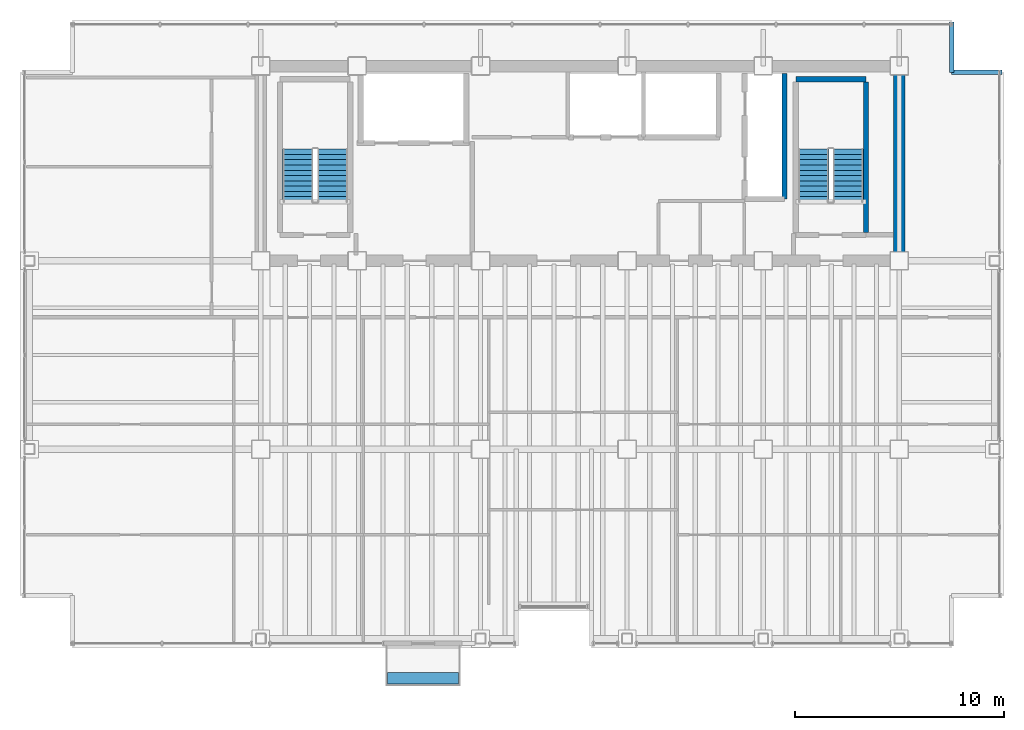
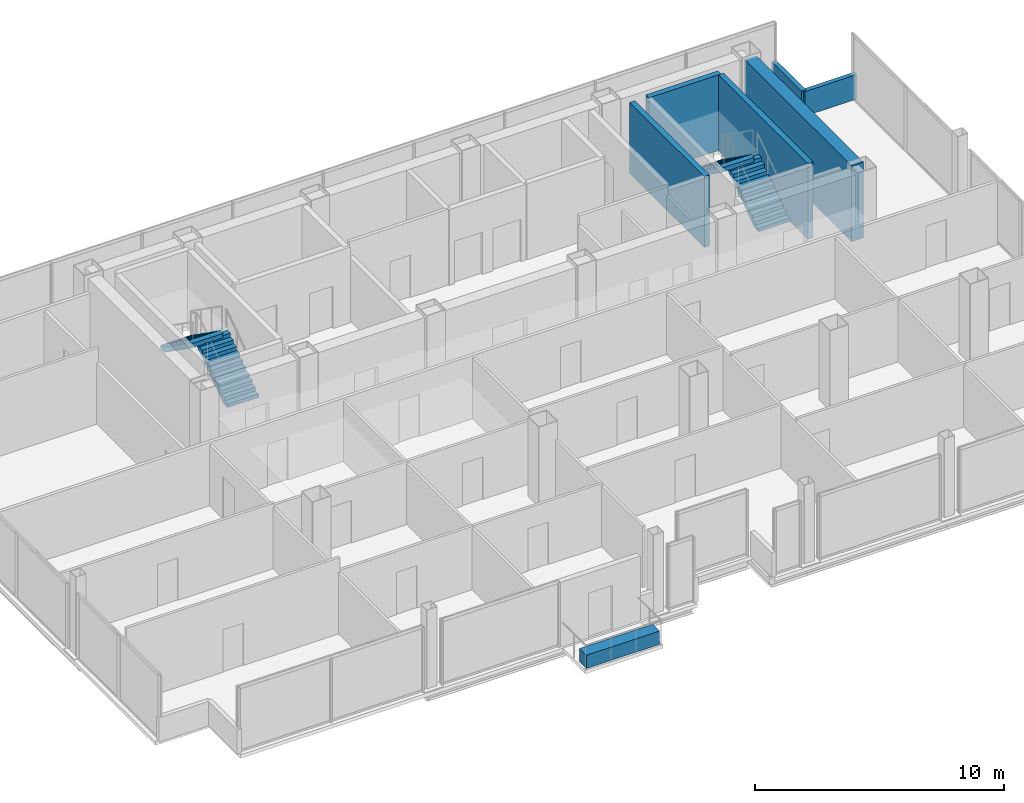
# One storey, part 21 of 22: 6 walls, 4 stair flights, 1 discrete accessory, 2 elements without a shape of their own.
"""IFC4 building model written with IfcOpenShell, lengths in metres."""

from ifc_helpers import new_model, si_unit, direction, frame, frame_2d, origin, origin_2d, place, context, subcontext, project, spatial, polyline, rectangle, outline, extrude, material, layer, layer_set, type_object, element, aggregate, save


model = new_model("IFC4")

# Units and contexts
model_context = context("Model", 3, precision=1e-05, world=origin(), true_north=direction((0.0, 1.0)))
body_context = subcontext(model_context, "Body", "Model", "MODEL_VIEW")
ifc_project = project(units=[si_unit("LENGTHUNIT", "METRE"), si_unit("AREAUNIT", "SQUARE_METRE"), si_unit("VOLUMEUNIT", "CUBIC_METRE"), si_unit("PLANEANGLEUNIT", "RADIAN"), si_unit("MASSUNIT", "GRAM", prefix="KILO")], contexts=[model_context])

# Site, building, storey
site_placement = place(None, origin())
site = spatial("IfcSite", under=ifc_project, at=site_placement, CompositionType="ELEMENT")
building_placement = place(site_placement, origin())
building = spatial("IfcBuilding", under=site, at=building_placement, Name="Noeulbin Bourse Tower", CompositionType="ELEMENT")
storey_placement = place(building_placement, frame((0.0, 0.0, 130.5)))
storey = spatial("IfcBuildingStorey", under=building, at=storey_placement, Name="L32", CompositionType="ELEMENT", Elevation=130.5)

# Walls
ifc_material_1 = material(Name="Concrete C60/75", Category="concrete")
ifc_layer_1 = layer(ifc_material_1, 0.550048828125)
ifc_layer_set_1 = layer_set([ifc_layer_1], Name="Concrete C60/75")
wall_type_1 = type_object("IfcWallType", Name="WAL-CORE-550", PredefinedType="SHEAR", material=ifc_layer_set_1)
wall_1_placement = place(storey_placement, frame((44.0, 29.35009765625, 0.0), z_axis=(0.0, 0.0, 1.0), x_axis=(0.0, 1.0, 0.0)))
element("IfcWall", 1, at=wall_1_placement, inside=storey, type_object=wall_type_1, Name="Rear Core East Shear Wall L32", PredefinedType="SHEAR", context=body_context, shape_type="SweptSolid", body=[
    extrude(rectangle(XDim=8.599853515625, YDim=0.550048828125, at=frame_2d((4.2998046875, 0.0))), origin(), (0.0, 0.0, 1.0), 3.719970703125),
])
ifc_material_2 = material(Name="Concrete C40/50", Category="concrete")
ifc_layer_2 = layer(ifc_material_2, 0.199951171875)
ifc_layer_set_2 = layer_set([ifc_layer_2], Name="Concrete C40/50")
wall_type_2 = type_object("IfcWallType", Name="WAL-PAR-200", PredefinedType="PARAPET", material=ifc_layer_set_2)
for number, where, z_axis, x_axis, name in (
    (2, (46.5, 40.39990234375, 0.0), (0.0, 0.0, 1.0), (0.0, -1.0, 0.0), "Corner Notch Parapet L32-NE1"),
    (3, (46.5, 38.0, 0.0), (0.0, 0.0, 1.0), (1.0, 0.0, 0.0), "Corner Notch Parapet L32-NE2"),
):
    element("IfcWall", number, at=place(storey_placement, frame(where, z_axis=z_axis, x_axis=x_axis)), inside=storey, type_object=wall_type_2, Name=name, PredefinedType="PARAPET", context=body_context, shape_type="SweptSolid", body=[
        extrude(rectangle(XDim=2.39990234375, YDim=0.199951171875, at=frame_2d((1.199951171875, 0.0))), origin(), (0.0, 0.0, 1.0), 1.199951171875),
    ])
ifc_layer_3 = layer(ifc_material_2, 0.25)
ifc_layer_set_3 = layer_set([ifc_layer_3], Name="Concrete C40/50")
wall_type_3 = type_object("IfcWallType", Name="WAL-SHFT-250", PredefinedType="STANDARD", material=ifc_layer_set_3)
wall_2_placement = place(storey_placement, frame((39.06005859375, 37.6689453125, 0.0), z_axis=(0.0, 0.0, 1.0), x_axis=(1.0, 0.0, 0.0)))
element("IfcWall", 4, at=wall_2_placement, inside=storey, type_object=wall_type_3, Name="Stair ST-2 North Shaft Wall L32", PredefinedType="STANDARD", context=body_context, shape_type="SweptSolid", body=[
    extrude(rectangle(XDim=3.33984375, YDim=0.25, at=frame_2d((1.669921875, 0.0))), origin(), (0.0, 0.0, 1.0), 3.719970703125),
])
wall_3_placement = place(storey_placement, frame((42.405029296875, 30.360107421875, 0.0), z_axis=(0.0, 0.0, 1.0), x_axis=(0.0, 1.0, 0.0)))
element("IfcWall", 5, at=wall_3_placement, inside=storey, type_object=wall_type_3, Name="Stair ST-2 East Shaft Wall L32", PredefinedType="STANDARD", context=body_context, shape_type="SweptSolid", body=[
    extrude(rectangle(XDim=7.183837890625, YDim=0.25, at=frame_2d((3.591796875, 0.0))), origin(), (0.0, 0.0, 1.0), 3.719970703125),
])
wall_4_placement = place(storey_placement, frame((38.52001953125, 31.949951171875, 0.0), z_axis=(0.0, 0.0, 1.0), x_axis=(0.0, 1.0, 0.0)))
element("IfcWall", 6, at=wall_4_placement, inside=storey, type_object=wall_type_3, Name="Service Lift East Shaft Wall L32", PredefinedType="STANDARD", context=body_context, shape_type="SweptSolid", body=[
    extrude(rectangle(XDim=6.0, YDim=0.25, at=frame_2d((3.0, 0.0))), origin(), (0.0, 0.0, 1.0), 3.47998046875),
])

# Stair, stair flights
stair_type = type_object("IfcStairType", Name="STR-CORE-1560", PredefinedType="HALF_TURN_STAIR", material=ifc_material_2)
stair_1_placement = place(storey_placement, origin())
stair_1 = element("IfcStair", 7, at=stair_1_placement, inside=storey, type_object=stair_type, Name="L32 ST-1", PredefinedType="HALF_TURN_STAIR")
stair_flight_type = type_object("IfcStairFlightType", Name="SFL-CORE-1560", PredefinedType="STRAIGHT", material=ifc_material_2)
stair_flight_1_placement = place(storey_placement, frame((16.925048828125, 31.81005859375, 0.0), z_axis=(0.0, 0.0, 1.0), x_axis=(0.0, 1.0, 0.0)))
stair_flight_1 = element("IfcStairFlight", 8, at=stair_flight_1_placement, type_object=stair_flight_type, Name="ST-1 flight 1", NumberOfRisers=11, NumberOfTreads=10, PredefinedType="STRAIGHT", RiserHeight=0.177272727, TreadLength=0.252, context=body_context, shape_type="SweptSolid", body=[
    extrude(outline(polyline([(0.0, 0.0), (0.0, 0.17724609375), (0.251953125, 0.17724609375), (0.251953125, 0.3544921875), (0.50390625, 0.3544921875), (0.50390625, 0.53173828125), (0.756103515625, 0.53173828125), (0.756103515625, 0.708984375), (1.008056640625, 0.708984375), (1.008056640625, 0.886474609375), (1.260009765625, 0.886474609375), (1.260009765625, 1.063720703125), (1.511962890625, 1.063720703125), (1.511962890625, 1.240966796875), (1.763916015625, 1.240966796875), (1.763916015625, 1.418212890625), (2.01611328125, 1.418212890625), (2.01611328125, 1.595458984375), (2.26806640625, 1.595458984375), (2.26806640625, 1.772705078125), (2.52001953125, 1.772705078125), (2.52001953125, 1.949951171875), (2.52001953125, 1.552734375), (0.312744140625, 0.0), (0.0, 0.0)])), frame((0.0, 0.72509765625, 0.0), z_axis=(0.0, -1.0, 0.0), x_axis=(1.0, 0.0, 0.0)), (0.0, 0.0, 1.0), 1.449951171875),
])
stair_flight_2_placement = place(storey_placement, frame((15.27490234375, 34.330078125, 1.949951171875), z_axis=(0.0, 0.0, 1.0), x_axis=(0.0, -1.0, 0.0)))
stair_flight_2 = element("IfcStairFlight", 9, at=stair_flight_2_placement, type_object=stair_flight_type, Name="ST-1 flight 2", NumberOfRisers=11, NumberOfTreads=10, PredefinedType="STRAIGHT", RiserHeight=0.177272727, TreadLength=0.252, context=body_context, shape_type="SweptSolid", body=[
    extrude(outline(polyline([(0.0, 0.0), (0.0, 0.17724609375), (0.251953125, 0.17724609375), (0.251953125, 0.3544921875), (0.50390625, 0.3544921875), (0.50390625, 0.53173828125), (0.756103515625, 0.53173828125), (0.756103515625, 0.708984375), (1.008056640625, 0.708984375), (1.008056640625, 0.886474609375), (1.260009765625, 0.886474609375), (1.260009765625, 1.063720703125), (1.511962890625, 1.063720703125), (1.511962890625, 1.240966796875), (1.763916015625, 1.240966796875), (1.763916015625, 1.418212890625), (2.01611328125, 1.418212890625), (2.01611328125, 1.595458984375), (2.26806640625, 1.595458984375), (2.26806640625, 1.772705078125), (2.52001953125, 1.772705078125), (2.52001953125, 1.949951171875), (2.52001953125, 1.552734375), (0.312744140625, 0.0), (0.0, 0.0)])), frame((0.0, 0.72509765625, 0.0), z_axis=(0.0, -1.0, 0.0), x_axis=(1.0, 0.0, 0.0)), (0.0, 0.0, 1.0), 1.449951171875),
])
aggregate(stair_1, [stair_flight_1, stair_flight_2])

stair_2_placement = place(storey_placement, origin())
stair_2 = element("IfcStair", 10, at=stair_2_placement, inside=storey, type_object=stair_type, Name="L32 ST-2", PredefinedType="HALF_TURN_STAIR")
stair_flight_3_placement = place(storey_placement, frame((41.554931640625, 31.81005859375, 0.0), z_axis=(0.0, 0.0, 1.0), x_axis=(0.0, 1.0, 0.0)))
stair_flight_3 = element("IfcStairFlight", 11, at=stair_flight_3_placement, type_object=stair_flight_type, Name="ST-2 flight 1", NumberOfRisers=11, NumberOfTreads=10, PredefinedType="STRAIGHT", RiserHeight=0.177272727, TreadLength=0.252, context=body_context, shape_type="SweptSolid", body=[
    extrude(outline(polyline([(0.0, 0.0), (0.0, 0.17724609375), (0.251953125, 0.17724609375), (0.251953125, 0.3544921875), (0.50390625, 0.3544921875), (0.50390625, 0.53173828125), (0.756103515625, 0.53173828125), (0.756103515625, 0.708984375), (1.008056640625, 0.708984375), (1.008056640625, 0.886474609375), (1.260009765625, 0.886474609375), (1.260009765625, 1.063720703125), (1.511962890625, 1.063720703125), (1.511962890625, 1.240966796875), (1.763916015625, 1.240966796875), (1.763916015625, 1.418212890625), (2.01611328125, 1.418212890625), (2.01611328125, 1.595458984375), (2.26806640625, 1.595458984375), (2.26806640625, 1.772705078125), (2.52001953125, 1.772705078125), (2.52001953125, 1.949951171875), (2.52001953125, 1.552734375), (0.312744140625, 0.0), (0.0, 0.0)])), frame((0.0, 0.72509765625, 0.0), z_axis=(0.0, -1.0, 0.0), x_axis=(1.0, 0.0, 0.0)), (0.0, 0.0, 1.0), 1.449951171875),
])
stair_flight_4_placement = place(storey_placement, frame((39.905029296875, 34.330078125, 1.949951171875), z_axis=(0.0, 0.0, 1.0), x_axis=(0.0, -1.0, 0.0)))
stair_flight_4 = element("IfcStairFlight", 12, at=stair_flight_4_placement, type_object=stair_flight_type, Name="ST-2 flight 2", NumberOfRisers=11, NumberOfTreads=10, PredefinedType="STRAIGHT", RiserHeight=0.177272727, TreadLength=0.252, context=body_context, shape_type="SweptSolid", body=[
    extrude(outline(polyline([(0.0, 0.0), (0.0, 0.17724609375), (0.251953125, 0.17724609375), (0.251953125, 0.3544921875), (0.50390625, 0.3544921875), (0.50390625, 0.53173828125), (0.756103515625, 0.53173828125), (0.756103515625, 0.708984375), (1.008056640625, 0.708984375), (1.008056640625, 0.886474609375), (1.260009765625, 0.886474609375), (1.260009765625, 1.063720703125), (1.511962890625, 1.063720703125), (1.511962890625, 1.240966796875), (1.763916015625, 1.240966796875), (1.763916015625, 1.418212890625), (2.01611328125, 1.418212890625), (2.01611328125, 1.595458984375), (2.26806640625, 1.595458984375), (2.26806640625, 1.772705078125), (2.52001953125, 1.772705078125), (2.52001953125, 1.949951171875), (2.52001953125, 1.552734375), (0.312744140625, 0.0), (0.0, 0.0)])), frame((0.0, 0.72509765625, 0.0), z_axis=(0.0, -1.0, 0.0), x_axis=(1.0, 0.0, 0.0)), (0.0, 0.0, 1.0), 1.449951171875),
])
aggregate(stair_2, [stair_flight_3, stair_flight_4])

# Discrete accessory
ifc_material_3 = material(Name="Architectural GFRC Concrete C40/50", Category="concrete")
ifc_layer_4 = layer(ifc_material_3, 0.64990234375)
ifc_layer_set_4 = layer_set([ifc_layer_4], Name="Architectural GFRC Concrete C40/50")
discrete_accessory_type = type_object("IfcDiscreteAccessoryType", Name="PLANTER-BOX-3600", PredefinedType="USERDEFINED", material=ifc_layer_set_4)
discrete_accessory_placement = place(storey_placement, frame((21.25, 9.06005859375, 0.0), z_axis=(0.0, 0.0, 1.0), x_axis=(1.0, 0.0, 0.0)))
element("IfcDiscreteAccessory", 13, at=discrete_accessory_placement, inside=storey, type_object=discrete_accessory_type, Name="Integrated Balcony Tree Planter Box L32", ObjectType="PLANTER", PredefinedType="USERDEFINED", context=body_context, shape_type="SweptSolid", body=[
    extrude(rectangle(XDim=3.39990234375, YDim=0.550048828125, at=origin_2d()), origin(), (0.0, 0.0, 1.0), 0.64990234375),
])

save(model, "model.ifc")
